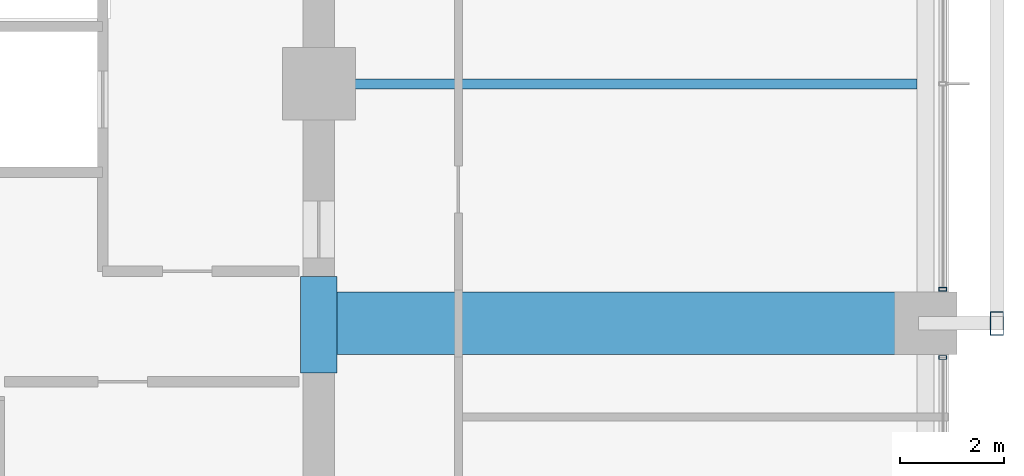
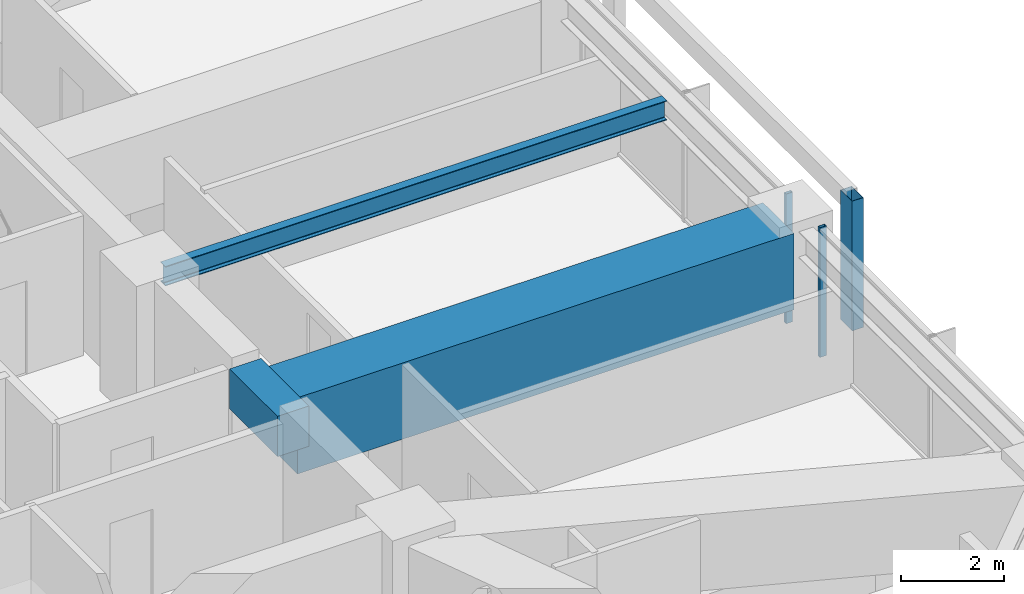
# One storey, part 13 of 37: 3 beams, 3 members, 2 elements without a shape of their own.
"""IFC4 building model written with IfcOpenShell, lengths in metres."""

from ifc_helpers import new_model, si_unit, direction, frame, origin, origin_2d, place, context, subcontext, project, spatial, rectangle, hollow_rectangle, i_section, extrude, material, material_profile, profile_set, type_object, element, aggregate, save


model = new_model("IFC4")

# Units and contexts
model_context = context("Model", 3, precision=1e-05, world=origin(), true_north=direction((0.0, 1.0)))
body_context = subcontext(model_context, "Body", "Model", "MODEL_VIEW")
ifc_project = project(units=[si_unit("LENGTHUNIT", "METRE"), si_unit("AREAUNIT", "SQUARE_METRE"), si_unit("VOLUMEUNIT", "CUBIC_METRE"), si_unit("PLANEANGLEUNIT", "RADIAN"), si_unit("MASSUNIT", "GRAM", prefix="KILO")], contexts=[model_context])

# Site, building, storey
site_placement = place(None, origin())
site = spatial("IfcSite", under=ifc_project, at=site_placement, CompositionType="ELEMENT")
building_placement = place(site_placement, origin())
building = spatial("IfcBuilding", under=site, at=building_placement, Name="Kolvaren Belvedere", CompositionType="ELEMENT")
storey_placement = place(building_placement, frame((0.0, 0.0, 56.800048828125)))
storey = spatial("IfcBuildingStorey", under=building, at=storey_placement, Name="L16", CompositionType="ELEMENT", Elevation=56.800048828125)

# Beams
ifc_material_1 = material(Name="Structural steel ASTM A992 Grade 50", Category="steel")
ifc_material_profile_1 = material_profile(ifc_material_1, i_section(OverallWidth=0.19091796875, OverallDepth=0.4599609375, WebThickness=0.010009765625, FlangeThickness=0.01611328125, FilletRadius=0.014892578125, at=origin_2d()), Name="W18X55")
ifc_profile_set_1 = profile_set([ifc_material_profile_1], Name="Structural steel ASTM A992 Grade 50")
beam_type_1 = type_object("IfcBeamType", Name="BM-JOIST-W18X55", PredefinedType="BEAM", material=ifc_profile_set_1)
beam_1_placement = place(storey_placement, frame((10.199951171875, 0.0, 2.829833984375), z_axis=(1.0, 0.0, 0.0), x_axis=(0.0, 1.0, 0.0)))
element("IfcBeam", 1, at=beam_1_placement, inside=storey, type_object=beam_type_1, Name="L16 East Centre Floor Beam", PredefinedType="BEAM", context=body_context, shape_type="SweptSolid", body=[
    extrude(i_section(OverallWidth=0.19091796875, OverallDepth=0.4599609375, WebThickness=0.010009765625, FlangeThickness=0.01611328125, FilletRadius=0.014892578125, at=origin_2d()), origin(), (0.0, 0.0, 1.0), 11.1875),
])
ifc_material_2 = material(Name="Concrete C60/75", Category="concrete")
ifc_material_profile_2 = material_profile(ifc_material_2, rectangle(XDim=0.699951171875, YDim=0.949951171875, at=origin_2d()), Name="RC 700X950")
ifc_profile_set_2 = profile_set([ifc_material_profile_2], Name="Concrete C60/75")
beam_type_2 = type_object("IfcBeamType", Name="BM-LINT-950", PredefinedType="LINTEL", material=ifc_profile_set_2)
beam_2_placement = place(storey_placement, frame((9.89990234375, -5.550048828125, 2.5849609375), z_axis=(0.0, 1.0, 0.0), x_axis=(-1.0, 0.0, 0.0)))
element("IfcBeam", 2, at=beam_2_placement, inside=storey, type_object=beam_type_2, Name="L16 East Core Coupling Lintel", PredefinedType="LINTEL", context=body_context, shape_type="SweptSolid", body=[
    extrude(rectangle(XDim=0.699951171875, YDim=0.949951171875, at=origin_2d()), origin(), (0.0, 0.0, 1.0), 1.85009765625),
])
ifc_material_3 = material(Name="Concrete C50/60", Category="concrete")
ifc_material_profile_3 = material_profile(ifc_material_3, rectangle(XDim=1.199951171875, YDim=1.800048828125, at=origin_2d()), Name="RC 1200X1800")
ifc_profile_set_3 = profile_set([ifc_material_profile_3], Name="Concrete C50/60")
beam_type_3 = type_object("IfcBeamType", Name="BM-TG-1800", PredefinedType="BEAM", material=ifc_profile_set_3)
beam_3_placement = place(storey_placement, frame((10.199951171875, -4.60009765625, 2.159912109375), z_axis=(1.0, 0.0, 0.0), x_axis=(0.0, 1.0, 0.0)))
element("IfcBeam", 3, at=beam_3_placement, inside=storey, type_object=beam_type_3, Name="L16 East Radial Girder M", PredefinedType="BEAM", context=body_context, shape_type="SweptSolid", body=[
    extrude(rectangle(XDim=1.199951171875, YDim=1.800048828125, at=origin_2d()), origin(), (0.0, 0.0, 1.0), 11.080078125),
])

# Curtain wall, member
ifc_material_4 = material(Name="Anodised pale-metal aluminium AA 6063-T6", Category="aluminium")
curtain_wall_type = type_object("IfcCurtainWallType", Name="CW-Z1-LOW", PredefinedType="NOTDEFINED", material=ifc_material_4)
curtain_wall_1_placement = place(storey_placement, origin())
curtain_wall_1 = element("IfcCurtainWall", 4, at=curtain_wall_1_placement, inside=storey, type_object=curtain_wall_type, Name="L16 Unitised Curtain Wall FCW-L16-E-B2", PredefinedType="NOTDEFINED")
ifc_material_5 = material(Name="Anodised pale-metal aluminium AA 6063-T6", Category="aluminium")
ifc_material_profile_4 = material_profile(ifc_material_5, hollow_rectangle(XDim=0.070068359375, YDim=0.14990234375, WallThickness=0.004150390625, at=origin_2d()), Name="ALU-MUL-150X70")
ifc_profile_set_4 = profile_set([ifc_material_profile_4], Name="Anodised pale-metal aluminium AA 6063-T6")
member_type_1 = type_object("IfcMemberType", Name="CW-MUL-150", PredefinedType="MULLION", material=ifc_profile_set_4)
member_1_placement = place(storey_placement, frame((21.8798828125, -3.945068359375, 0.0), z_axis=(0.0, 0.0, 1.0), x_axis=(0.0, 1.0, 0.0)))
member_1 = element("IfcMember", 5, at=member_1_placement, type_object=member_type_1, Name="FCW-L16-E-B2 Unitised Mullion 3", PredefinedType="MULLION", context=body_context, shape_type="SweptSolid", body=[
    extrude(hollow_rectangle(XDim=0.070068359375, YDim=0.14990234375, WallThickness=0.004150390625, at=origin_2d()), origin(), (0.0, 0.0, 1.0), 3.06005859375),
])
aggregate(curtain_wall_1, [member_1])

curtain_wall_2_placement = place(storey_placement, origin())
curtain_wall_2 = element("IfcCurtainWall", 6, at=curtain_wall_2_placement, inside=storey, type_object=curtain_wall_type, Name="L16 Unitised Curtain Wall FCW-L16-E-B3", PredefinedType="NOTDEFINED")
member_2_placement = place(storey_placement, frame((21.8798828125, -5.2548828125, 0.0), z_axis=(0.0, 0.0, 1.0), x_axis=(0.0, 1.0, 0.0)))
member_2 = element("IfcMember", 7, at=member_2_placement, type_object=member_type_1, Name="FCW-L16-E-B3 Unitised Mullion 1", PredefinedType="MULLION", context=body_context, shape_type="SweptSolid", body=[
    extrude(hollow_rectangle(XDim=0.070068359375, YDim=0.14990234375, WallThickness=0.004150390625, at=origin_2d()), origin(), (0.0, 0.0, 1.0), 3.06005859375),
])
aggregate(curtain_wall_2, [member_2])

# Member
ifc_material_6 = material(Name="Anodised pale-metal aluminium AA 6063-T6", Category="aluminium")
ifc_material_profile_5 = material_profile(ifc_material_6, hollow_rectangle(XDim=0.25, YDim=0.449951171875, WallThickness=0.008544921875, at=origin_2d()), Name="ALU-PF-450X250")
ifc_profile_set_5 = profile_set([ifc_material_profile_5], Name="Anodised pale-metal aluminium AA 6063-T6")
member_type_2 = type_object("IfcMemberType", Name="PF-FRAME-450", PredefinedType="USERDEFINED", material=ifc_profile_set_5)
member_3_placement = place(storey_placement, frame((22.919921875, -4.60009765625, 0.0), z_axis=(0.0, 0.0, 1.0), x_axis=(1.0, 0.0, 0.0)))
element("IfcMember", 8, at=member_3_placement, inside=storey, type_object=member_type_2, Name="L16 Outboard Picture-Frame Vertical E2", ObjectType="PICTURE FRAME FIN", PredefinedType="USERDEFINED", context=body_context, shape_type="SweptSolid", body=[
    extrude(hollow_rectangle(XDim=0.25, YDim=0.449951171875, WallThickness=0.008544921875, at=origin_2d()), origin(), (0.0, 0.0, 1.0), 3.06005859375),
])

save(model, "model.ifc")
